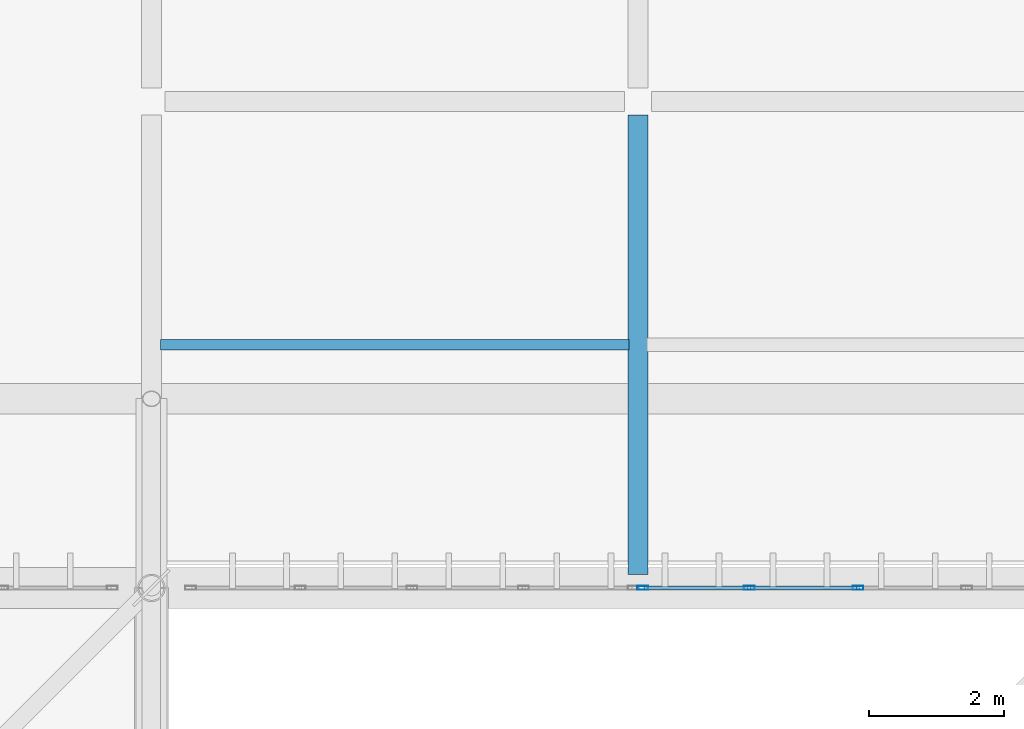
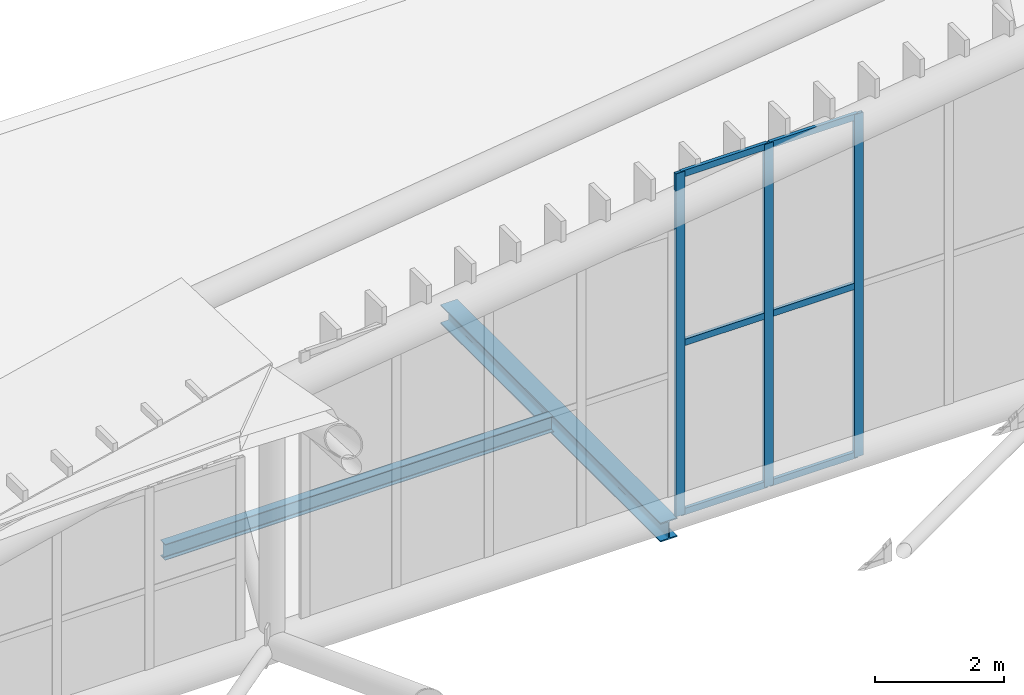
# One storey, part 256 of 397: 9 members, 2 beams, 1 element without a shape of its own.
"""IFC4 building model written with IfcOpenShell, lengths in metres."""

import ifcopenshell
import ifcopenshell.guid

model = None  # the IFC model being written
_history = None  # IfcOwnerHistory: only IFC2X3 demands one
_inside = {}  # id of a spatial element -> (the spatial element, [elements in it])
_under = {}  # id of a project, library or spatial element -> (it, [spatial elements below it])
_declared = {}  # id of a project -> (the project, [libraries it declares])
_typed = {}  # id of a type object -> (the type object, [elements of that type])
_made_of = {}  # id of a material, layer set ... -> (it, [elements and type objects made of it])


def new_model(schema):
    """Start an empty IFC model of exactly this schema.

    Asked for "IFC4X3", IfcOpenShell would pick the latest addendum, in which some entities
    have other attributes; the version numbers below select the first issue.
    IFC2X3 requires an IfcOwnerHistory on every rooted entity: one is made here for all.
    """
    global model, _history
    if schema == "IFC4X3":
        model = ifcopenshell.file(schema_version=(4, 3, 0, 0))
    else:
        model = ifcopenshell.file(schema=schema)
    _inside.clear()
    _under.clear()
    _declared.clear()
    _typed.clear()
    _made_of.clear()
    _history = None
    if model.schema == "IFC2X3":
        org = make("IfcOrganization", Name="unknown")
        user = make(
            "IfcPersonAndOrganization",
            ThePerson=make("IfcPerson", FamilyName="unknown"),
            TheOrganization=org,
        )
        app = make(
            "IfcApplication",
            ApplicationDeveloper=org,
            Version="unknown",
            ApplicationFullName="unknown",
            ApplicationIdentifier="unknown",
        )
        _history = make(
            "IfcOwnerHistory",
            OwningUser=user,
            OwningApplication=app,
            ChangeAction="ADDED",
            CreationDate=0,
        )
    return model


def make(cls, **values):
    """One entity of the class cls with the attributes given. An attribute that is None is left unset."""
    return model.create_entity(
        cls, **{name: value for name, value in values.items() if value is not None}
    )


def rooted(cls, **values):
    """An entity with a GlobalId (a new one), such as an element, a storey or a relation."""
    return make(cls, GlobalId=ifcopenshell.guid.new(), OwnerHistory=_history, **values)


def si_unit(unit_type, name, prefix=None):
    """IfcSIUnit, for example si_unit("LENGTHUNIT", "METRE", prefix="MILLI")."""
    return make("IfcSIUnit", UnitType=unit_type, Prefix=prefix, Name=name)


def assignment(units):
    """IfcUnitAssignment: the units of a project."""
    return None if units is None else make("IfcUnitAssignment", Units=units)


def point(xyz):
    """IfcCartesianPoint."""
    return None if xyz is None else make("IfcCartesianPoint", Coordinates=xyz)


def direction(xyz):
    """IfcDirection."""
    return None if xyz is None else make("IfcDirection", DirectionRatios=xyz)


def frame(location, z_axis=None, x_axis=None):
    """IfcAxis2Placement3D, a coordinate frame: its origin and axes. An axis left out is left unset."""
    return make(
        "IfcAxis2Placement3D",
        Location=point(location),
        Axis=direction(z_axis),
        RefDirection=direction(x_axis),
    )


def frame_2d(location, x_axis=None):
    """IfcAxis2Placement2D, a coordinate frame in the plane: its origin and x axis."""
    return make(
        "IfcAxis2Placement2D", Location=point(location), RefDirection=direction(x_axis)
    )


def origin():
    """The frame at (0, 0, 0) with its axes left unset."""
    return frame((0.0, 0.0, 0.0))


def origin_2d():
    """The frame at (0, 0) in the plane with its x axis left unset."""
    return frame_2d((0.0, 0.0))


def place(relative_to, where):
    """IfcLocalPlacement: puts the frame where relative to a parent placement (None: the world)."""
    return make(
        "IfcLocalPlacement", PlacementRelTo=relative_to, RelativePlacement=where
    )


def context(
    kind, dimensions, precision=None, world=None, true_north=None, identifier=None
):
    """IfcGeometricRepresentationContext, for example the 3D "Model" context."""
    return make(
        "IfcGeometricRepresentationContext",
        ContextIdentifier=identifier,
        ContextType=kind,
        CoordinateSpaceDimension=dimensions,
        Precision=precision,
        WorldCoordinateSystem=world,
        TrueNorth=true_north,
    )


def subcontext(parent, identifier, kind, view, scale=None):
    """IfcGeometricRepresentationSubContext, for example "Body" below "Model"."""
    return make(
        "IfcGeometricRepresentationSubContext",
        ContextIdentifier=identifier,
        ContextType=kind,
        ParentContext=parent,
        TargetScale=scale,
        TargetView=view,
    )


def project(units=None, contexts=None):
    """IfcProject with its units and contexts."""
    return rooted(
        "IfcProject",
        Name="project",
        RepresentationContexts=contexts,
        UnitsInContext=assignment(units),
    )


def spatial(cls, under=None, at=None, **own):
    """A site, building, storey or space (cls), placed at a placement, below another one or the project."""
    s = rooted(cls, ObjectPlacement=at, **own)
    if under is not None:
        _under.setdefault(under.id(), (under, []))[1].append(s)
    return s


def profile(cls, at=None, kind="AREA", **sizes):
    """A parametric profile (cls). Its sizes go by their IFC names, for example OverallWidth=200.0."""
    return make(cls, ProfileType=kind, Position=at, **sizes)


def hollow_rectangle(**sizes):
    """IfcRectangleHollowProfileDef."""
    return profile("IfcRectangleHollowProfileDef", **sizes)


def i_section(**sizes):
    """IfcIShapeProfileDef."""
    return profile("IfcIShapeProfileDef", **sizes)


def extrude(swept, where, along, depth):
    """IfcExtrudedAreaSolid: the profile swept, set in the frame where, extruded along a direction by depth."""
    return make(
        "IfcExtrudedAreaSolid",
        SweptArea=swept,
        Position=where,
        ExtrudedDirection=direction(along),
        Depth=depth,
    )


def shape(context_of_items, identifier, shape_type, items):
    """IfcShapeRepresentation: the items that make up one representation, for example the "Body"."""
    return make(
        "IfcShapeRepresentation",
        ContextOfItems=context_of_items,
        RepresentationIdentifier=identifier,
        RepresentationType=shape_type,
        Items=items,
    )


def material(Name=None, Category=None):
    """IfcMaterial."""
    return make("IfcMaterial", Name=Name, Category=Category)


def material_profile(
    of_material, cross_section, Name=None, Category=None, Priority=None
):
    """IfcMaterialProfile: a cross section and its material."""
    return make(
        "IfcMaterialProfile",
        Name=Name,
        Material=of_material,
        Profile=cross_section,
        Priority=Priority,
        Category=Category,
    )


def profile_set(profiles, Name=None, composite=None):
    """IfcMaterialProfileSet."""
    return make(
        "IfcMaterialProfileSet",
        Name=Name,
        MaterialProfiles=profiles,
        CompositeProfile=composite,
    )


def made_of(thing, what):
    """Note that an element or type object is made of a material, layer set ...; save() writes the relation."""
    if what is not None:
        _made_of.setdefault(what.id(), (what, []))[1].append(thing)
    return thing


def type_object(cls, material=None, **own):
    """A type object (cls), such as IfcWallType, which elements share."""
    return made_of(rooted(cls, **own), material)


def element(
    cls,
    number,
    at=None,
    inside=None,
    cuts=None,
    type_object=None,
    material=None,
    context=None,
    identifier="Body",
    shape_type=None,
    held_by="IfcProductDefinitionShape",
    body=None,
    shapes=None,
    **own,
):
    """One element of the class cls, such as IfcWall. Its Tag is "e" and its number.

    at: its placement. inside: the storey or other place that contains it. cuts: it is an
    opening in that element (IfcRelVoidsElement). A single representation is given by context,
    identifier, shape_type and body (its items); several are given by shapes. held_by: the class
    of the entity that holds the representations. save() writes the other relations.
    """
    e = rooted(cls, Tag="e%d" % number, ObjectPlacement=at, **own)
    if body is not None:
        shapes = [shape(context, identifier, shape_type, body)]
    if shapes is not None:
        e.Representation = make(held_by, Representations=shapes)
    if inside is not None:
        _inside.setdefault(inside.id(), (inside, []))[1].append(e)
    if cuts is not None:
        rooted(
            "IfcRelVoidsElement", RelatingBuildingElement=cuts, RelatedOpeningElement=e
        )
    if type_object is not None:
        _typed.setdefault(type_object.id(), (type_object, []))[1].append(e)
    return made_of(e, material)


def aggregate(whole, parts):
    """IfcRelAggregates: a whole, such as a stair, and the parts it consists of."""
    return rooted("IfcRelAggregates", RelatingObject=whole, RelatedObjects=parts)


def save(model, path):
    """Write the relations noted so far, then the file.

    IfcRelAggregates (storeys below a building ...), IfcRelContainedInSpatialStructure (elements
    in a storey), IfcRelDefinesByType, IfcRelAssociatesMaterial and IfcRelDeclares: one each for
    every whole, place, type object, material and project.
    """
    for whole, parts in _under.values():
        aggregate(whole, parts)
    for where, things in _inside.values():
        rooted(
            "IfcRelContainedInSpatialStructure",
            RelatedElements=things,
            RelatingStructure=where,
        )
    for kind, things in _typed.values():
        rooted("IfcRelDefinesByType", RelatedObjects=things, RelatingType=kind)
    for what, things in _made_of.values():
        rooted("IfcRelAssociatesMaterial", RelatedObjects=things, RelatingMaterial=what)
    for by, libraries in _declared.values():
        rooted("IfcRelDeclares", RelatingContext=by, RelatedDefinitions=libraries)
    model.write(path)


model = new_model("IFC4")

# Units and contexts
model_context = context("Model", 3, precision=1e-05, world=origin(), true_north=direction((0.0, 1.0)))
body_context = subcontext(model_context, "Body", "Model", "MODEL_VIEW")
ifc_project = project(units=[si_unit("LENGTHUNIT", "METRE"), si_unit("AREAUNIT", "SQUARE_METRE"), si_unit("VOLUMEUNIT", "CUBIC_METRE"), si_unit("PLANEANGLEUNIT", "RADIAN"), si_unit("MASSUNIT", "GRAM", prefix="KILO")], contexts=[model_context])

# Site, building, storey
site_placement = place(None, origin())
site = spatial("IfcSite", under=ifc_project, at=site_placement, CompositionType="ELEMENT")
building_placement = place(site_placement, origin())
building = spatial("IfcBuilding", under=site, at=building_placement, Name="Qandorah Velis Arena", CompositionType="ELEMENT")
storey_placement = place(building_placement, frame((0.0, 0.0, 27.5)))
storey = spatial("IfcBuildingStorey", under=building, at=storey_placement, Name="RF", CompositionType="ELEMENT", Elevation=27.5)

# Curtain wall, members
ifc_material_1 = material(Name="Solar-control low-E double glazing", Category="glass")
curtain_wall_type = type_object("IfcCurtainWallType", Name="ARC-CW-SYS03", PredefinedType="USERDEFINED", material=ifc_material_1)
curtain_wall_placement = place(storey_placement, origin())
curtain_wall = element("IfcCurtainWall", 1, at=curtain_wall_placement, inside=storey, type_object=curtain_wall_type, Name="Unitised curtain wall CROWN-4-02S2", ObjectType="UNITISED CURTAIN WALL", PredefinedType="USERDEFINED")
ifc_material_2 = material(Name="Champagne-bronze anodized aluminium 6063-T6", Category="aluminium")
ifc_material_profile_1 = material_profile(ifc_material_2, hollow_rectangle(XDim=0.06005859375, YDim=0.159912109375, WallThickness=0.00341796875, at=origin_2d()), Name="ALU MULLION 60x160")
ifc_profile_set_1 = profile_set([ifc_material_profile_1], Name="Champagne-bronze anodized aluminium 6063-T6")
member_type_1 = type_object("IfcMemberType", Name="ARC-CWM-160", PredefinedType="MULLION", material=ifc_profile_set_1)
member_1_placement = place(storey_placement, frame((36.070068359375, 115.199951171875, -0.014892578125), z_axis=(0.0, 0.0, 1.0), x_axis=(0.0, 1.0, 0.0)))
member_1 = element("IfcMember", 2, at=member_1_placement, type_object=member_type_1, Name="CW03 mullion 1", PredefinedType="MULLION", context=body_context, shape_type="SweptSolid", body=[
    extrude(hollow_rectangle(XDim=0.06005859375, YDim=0.159912109375, WallThickness=0.00341796875, at=origin_2d()), origin(), (0.0, 0.0, 1.0), 6.469482421875),
])
member_2_placement = place(storey_placement, frame((37.648681640625, 115.199951171875, -0.014892578125), z_axis=(0.0, 0.0, 1.0), x_axis=(0.0, 1.0, 0.0)))
member_2 = element("IfcMember", 3, at=member_2_placement, type_object=member_type_1, Name="CW03 mullion 2", PredefinedType="MULLION", context=body_context, shape_type="SweptSolid", body=[
    extrude(hollow_rectangle(XDim=0.06005859375, YDim=0.159912109375, WallThickness=0.00341796875, at=origin_2d()), origin(), (0.0, 0.0, 1.0), 6.469482421875),
])
member_3_placement = place(storey_placement, frame((39.257568359375, 115.199951171875, -0.014892578125), z_axis=(0.0, 0.0, 1.0), x_axis=(0.0, 1.0, 0.0)))
member_3 = element("IfcMember", 4, at=member_3_placement, type_object=member_type_1, Name="CW03 mullion 3", PredefinedType="MULLION", context=body_context, shape_type="SweptSolid", body=[
    extrude(hollow_rectangle(XDim=0.06005859375, YDim=0.159912109375, WallThickness=0.00341796875, at=origin_2d()), origin(), (0.0, 0.0, 1.0), 6.469482421875),
])
ifc_material_profile_2 = material_profile(ifc_material_2, hollow_rectangle(XDim=0.06005859375, YDim=0.1201171875, WallThickness=0.0029296875, at=origin_2d()), Name="ALU TRANSOM 60x120")
ifc_profile_set_2 = profile_set([ifc_material_profile_2], Name="Champagne-bronze anodized aluminium 6063-T6")
member_type_2 = type_object("IfcMemberType", Name="ARC-CWT-120", PredefinedType="USERDEFINED", material=ifc_profile_set_2)
member_4_placement = place(storey_placement, frame((36.087890625, 115.199951171875, 0.030029296875), z_axis=(1.0, 0.0, 0.0), x_axis=(0.0, 1.0, 0.0)))
member_4 = element("IfcMember", 5, at=member_4_placement, type_object=member_type_2, Name="CW03 transom 1.1", ObjectType="TRANSOM", PredefinedType="USERDEFINED", context=body_context, shape_type="SweptSolid", body=[
    extrude(hollow_rectangle(XDim=0.06005859375, YDim=0.1201171875, WallThickness=0.0029296875, at=origin_2d()), origin(), (0.0, 0.0, 1.0), 1.542724609375),
])
member_5_placement = place(storey_placement, frame((36.087890625, 115.199951171875, 3.219970703125), z_axis=(1.0, 0.0, 0.0), x_axis=(0.0, 1.0, 0.0)))
member_5 = element("IfcMember", 6, at=member_5_placement, type_object=member_type_2, Name="CW03 transom 1.2", ObjectType="TRANSOM", PredefinedType="USERDEFINED", context=body_context, shape_type="SweptSolid", body=[
    extrude(hollow_rectangle(XDim=0.06005859375, YDim=0.1201171875, WallThickness=0.0029296875, at=origin_2d()), origin(), (0.0, 0.0, 1.0), 1.542724609375),
])
member_6_placement = place(storey_placement, frame((36.087890625, 115.199951171875, 6.40966796875), z_axis=(1.0, 0.0, 0.0), x_axis=(0.0, 1.0, 0.0)))
member_6 = element("IfcMember", 7, at=member_6_placement, type_object=member_type_2, Name="CW03 transom 1.3", ObjectType="TRANSOM", PredefinedType="USERDEFINED", context=body_context, shape_type="SweptSolid", body=[
    extrude(hollow_rectangle(XDim=0.06005859375, YDim=0.1201171875, WallThickness=0.0029296875, at=origin_2d()), origin(), (0.0, 0.0, 1.0), 1.542724609375),
])
member_7_placement = place(storey_placement, frame((37.666748046875, 115.199951171875, 0.030029296875), z_axis=(1.0, 0.0, 0.0), x_axis=(0.0, 1.0, 0.0)))
member_7 = element("IfcMember", 8, at=member_7_placement, type_object=member_type_2, Name="CW03 transom 2.1", ObjectType="TRANSOM", PredefinedType="USERDEFINED", context=body_context, shape_type="SweptSolid", body=[
    extrude(hollow_rectangle(XDim=0.06005859375, YDim=0.1201171875, WallThickness=0.0029296875, at=origin_2d()), origin(), (0.0, 0.0, 1.0), 1.57275390625),
])
member_8_placement = place(storey_placement, frame((37.666748046875, 115.199951171875, 3.219970703125), z_axis=(1.0, 0.0, 0.0), x_axis=(0.0, 1.0, 0.0)))
member_8 = element("IfcMember", 9, at=member_8_placement, type_object=member_type_2, Name="CW03 transom 2.2", ObjectType="TRANSOM", PredefinedType="USERDEFINED", context=body_context, shape_type="SweptSolid", body=[
    extrude(hollow_rectangle(XDim=0.06005859375, YDim=0.1201171875, WallThickness=0.0029296875, at=origin_2d()), origin(), (0.0, 0.0, 1.0), 1.57275390625),
])
member_9_placement = place(storey_placement, frame((37.666748046875, 115.199951171875, 6.40966796875), z_axis=(1.0, 0.0, 0.0), x_axis=(0.0, 1.0, 0.0)))
member_9 = element("IfcMember", 10, at=member_9_placement, type_object=member_type_2, Name="CW03 transom 2.3", ObjectType="TRANSOM", PredefinedType="USERDEFINED", context=body_context, shape_type="SweptSolid", body=[
    extrude(hollow_rectangle(XDim=0.06005859375, YDim=0.1201171875, WallThickness=0.0029296875, at=origin_2d()), origin(), (0.0, 0.0, 1.0), 1.57275390625),
])
aggregate(curtain_wall, [member_1, member_2, member_3, member_4, member_5, member_6, member_7, member_8, member_9])

# Beams
ifc_material_3 = material(Name="Steel S355", Category="steel")
ifc_material_profile_3 = material_profile(ifc_material_3, i_section(OverallWidth=0.300048828125, OverallDepth=0.360107421875, WebThickness=0.012451171875, FlangeThickness=0.0224609375, FilletRadius=0.027099609375, at=origin_2d()), Name="HEB 360")
ifc_profile_set_3 = profile_set([ifc_material_profile_3], Name="Steel S355")
beam_type_1 = type_object("IfcBeamType", Name="STR-BM-HEB360", PredefinedType="BEAM", material=ifc_profile_set_3)
beam_1_placement = place(storey_placement, frame((36.0, 115.39990234375, -0.39990234375), z_axis=(0.0, 1.0, 0.0), x_axis=(-1.0, 0.0, 0.0)))
element("IfcBeam", 11, at=beam_1_placement, inside=storey, type_object=beam_type_1, Name="Primary floor girder RF Y-093", PredefinedType="BEAM", context=body_context, shape_type="SweptSolid", body=[
    extrude(i_section(OverallWidth=0.300048828125, OverallDepth=0.360107421875, WebThickness=0.012451171875, FlangeThickness=0.0224609375, FilletRadius=0.027099609375, at=origin_2d()), origin(), (0.0, 0.0, 1.0), 6.800048828125),
])
ifc_material_profile_4 = material_profile(ifc_material_3, i_section(OverallWidth=0.14990234375, OverallDepth=0.300048828125, WebThickness=0.007080078125, FlangeThickness=0.0107421875, FilletRadius=0.014892578125, at=origin_2d()), Name="IPE 300")
ifc_profile_set_4 = profile_set([ifc_material_profile_4], Name="Steel S355")
beam_type_2 = type_object("IfcBeamType", Name="STR-JST-IPE300", PredefinedType="JOIST", material=ifc_profile_set_4)
beam_2_placement = place(storey_placement, frame((28.93505859375, 118.800048828125, -0.3701171875), z_axis=(1.0, 0.0, 0.0), x_axis=(0.0, 1.0, 0.0)))
element("IfcBeam", 12, at=beam_2_placement, inside=storey, type_object=beam_type_2, Name="Secondary floor joist RF-015", PredefinedType="JOIST", context=body_context, shape_type="SweptSolid", body=[
    extrude(i_section(OverallWidth=0.14990234375, OverallDepth=0.300048828125, WebThickness=0.007080078125, FlangeThickness=0.0107421875, FilletRadius=0.014892578125, at=origin_2d()), origin(), (0.0, 0.0, 1.0), 6.929931640625),
])

save(model, "model.ifc")
